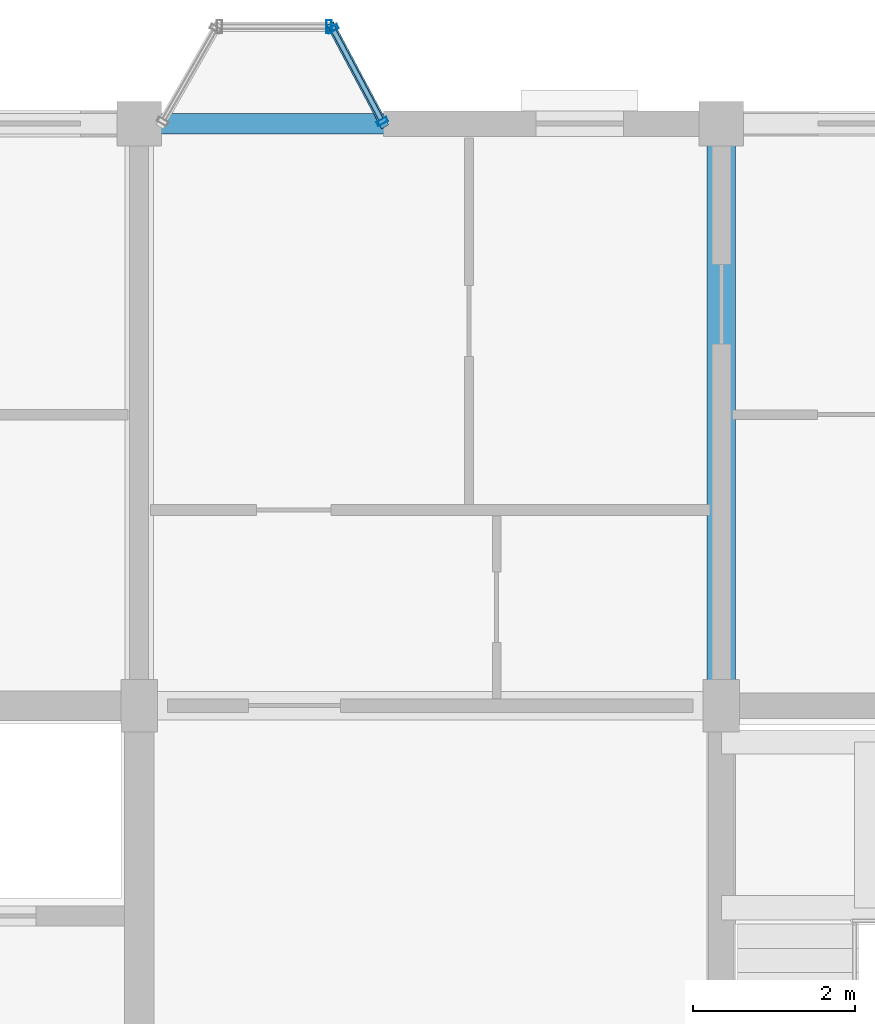
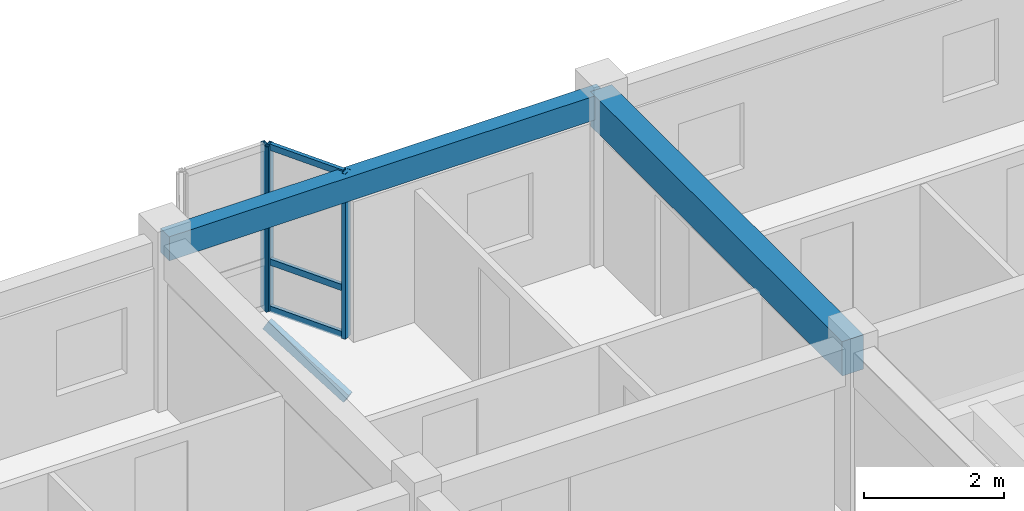
# One storey, part 44 of 77: 7 members, 2 beams, 2 elements without a shape of their own.
"""IFC4 building model written with IfcOpenShell, lengths in metres."""

from ifc_helpers import new_model, si_unit, direction, frame, origin, origin_2d, place, context, subcontext, project, spatial, rectangle, hollow_rectangle, extrude, material, layer, layer_set, material_profile, profile_set, type_object, element, aggregate, save


model = new_model("IFC4")

# Units and contexts
model_context = context("Model", 3, precision=1e-05, world=origin(), true_north=direction((0.0, 1.0)))
body_context = subcontext(model_context, "Body", "Model", "MODEL_VIEW")
ifc_project = project(units=[si_unit("LENGTHUNIT", "METRE"), si_unit("AREAUNIT", "SQUARE_METRE"), si_unit("VOLUMEUNIT", "CUBIC_METRE"), si_unit("PLANEANGLEUNIT", "RADIAN"), si_unit("MASSUNIT", "GRAM", prefix="KILO"), si_unit("THERMODYNAMICTEMPERATUREUNIT", "KELVIN"), si_unit("POWERUNIT", "WATT")], contexts=[model_context])

# Site, building, storey
site_placement = place(None, origin())
site = spatial("IfcSite", under=ifc_project, at=site_placement, CompositionType="ELEMENT")
building_placement = place(site_placement, origin())
building = spatial("IfcBuilding", under=site, at=building_placement, Name="Tavuni Mirador Residences", CompositionType="ELEMENT")
storey_placement = place(building_placement, frame((0.0, 0.0, 17.10009765625)))
storey = spatial("IfcBuildingStorey", under=building, at=storey_placement, Name="L05", CompositionType="ELEMENT", Elevation=17.10009765625)

# Beams
ifc_material_1 = material(Name="Precast concrete C40/50", Category="concrete")
ifc_material_profile_1 = material_profile(ifc_material_1, rectangle(XDim=0.35009765625, YDim=0.60009765625, at=origin_2d()), Name="PC 350x600", Category="concrete")
ifc_profile_set_1 = profile_set([ifc_material_profile_1], Name="Precast concrete C40/50")
beam_type_1 = type_object("IfcBeamType", Name="BT-B600", PredefinedType="BEAM", material=ifc_profile_set_1)
beam_1_placement = place(storey_placement, frame((39.60009765625, 165.60009765625, 2.5849609375), z_axis=(0.0, 1.0, 0.0), x_axis=(-1.0, 0.0, 0.0)))
element("IfcBeam", 1, at=beam_1_placement, inside=storey, type_object=beam_type_1, Name="BMY-BLK-C-L05-04-03", PredefinedType="BEAM", context=body_context, shape_type="SweptSolid", body=[
    extrude(rectangle(XDim=0.35009765625, YDim=0.60009765625, at=origin_2d()), origin(), (0.0, 0.0, 1.0), 7.199951171875),
])
ifc_material_profile_2 = material_profile(ifc_material_1, rectangle(XDim=0.25, YDim=0.419921875, at=origin_2d()), Name="PC 250x420", Category="concrete")
ifc_profile_set_2 = profile_set([ifc_material_profile_2], Name="Precast concrete C40/50")
beam_type_2 = type_object("IfcBeamType", Name="BT-SP420", PredefinedType="SPANDREL", material=ifc_profile_set_2)
beam_2_placement = place(storey_placement, frame((32.39990234375, 172.800048828125, 2.6748046875), z_axis=(1.0, 0.0, 0.0), x_axis=(0.0, 1.0, 0.0)))
element("IfcBeam", 2, at=beam_2_placement, inside=storey, type_object=beam_type_2, Name="BMX-BLK-C-L05-03-04", PredefinedType="SPANDREL", context=body_context, shape_type="SweptSolid", body=[
    extrude(rectangle(XDim=0.25, YDim=0.419921875, at=origin_2d()), origin(), (0.0, 0.0, 1.0), 7.2001953125),
])

# Curtain wall, members
ifc_material_2 = material(Name="Anodised aluminium", Category="aluminium")
ifc_layer_1 = layer(ifc_material_2, 0.175048828125, Name="Anodised aluminium", Category="aluminium")
ifc_layer_set_1 = layer_set([ifc_layer_1], Name="Anodised aluminium")
curtain_wall_type_1 = type_object("IfcCurtainWallType", Name="CWT-MIR-C", PredefinedType="NOTDEFINED", material=ifc_layer_set_1)
curtain_wall_1_placement = place(storey_placement, origin())
curtain_wall_1 = element("IfcCurtainWall", 3, at=curtain_wall_1_placement, inside=storey, type_object=curtain_wall_type_1, Name="CW-MIR-C-N2-L05-M1", PredefinedType="NOTDEFINED")
ifc_material_profile_3 = material_profile(ifc_material_2, hollow_rectangle(XDim=0.06005859375, YDim=0.139892578125, WallThickness=0.00390625, at=origin_2d()), Name="ALU 60x140x4.0", Category="aluminium")
ifc_profile_set_3 = profile_set([ifc_material_profile_3], Name="Anodised aluminium")
member_type_1 = type_object("IfcMemberType", Name="CWM-140", PredefinedType="MULLION", material=ifc_profile_set_3)
member_1_placement = place(storey_placement, frame((35.40576171875, 172.826416015625, 0.0), z_axis=(0.0, 0.0, 1.0), x_axis=(-0.470588235296, 0.882352941175, 0.0)))
member_1 = element("IfcMember", 4, at=member_1_placement, type_object=member_type_1, Name="CW-03 mullion 1", PredefinedType="MULLION", context=body_context, shape_type="SweptSolid", body=[
    extrude(hollow_rectangle(XDim=0.06005859375, YDim=0.139892578125, WallThickness=0.00390625, at=origin_2d()), origin(), (0.0, 0.0, 1.0), 2.885009765625),
])
member_2_placement = place(storey_placement, frame((34.794189453125, 173.9736328125, 0.0), z_axis=(0.0, 0.0, 1.0), x_axis=(-0.470588235296, 0.882352941175, 0.0)))
member_2 = element("IfcMember", 5, at=member_2_placement, type_object=member_type_1, Name="CW-03 mullion 2", PredefinedType="MULLION", context=body_context, shape_type="SweptSolid", body=[
    extrude(hollow_rectangle(XDim=0.06005859375, YDim=0.139892578125, WallThickness=0.00390625, at=origin_2d()), origin(), (0.0, 0.0, 1.0), 2.885009765625),
])

# Curtain wall, member
ifc_layer_2 = layer(ifc_material_2, 0.159912109375, Name="Anodised aluminium", Category="aluminium")
ifc_layer_set_2 = layer_set([ifc_layer_2], Name="Anodised aluminium")
curtain_wall_type_2 = type_object("IfcCurtainWallType", Name="CWT-MIR-D", PredefinedType="NOTDEFINED", material=ifc_layer_set_2)
curtain_wall_2_placement = place(storey_placement, origin())
curtain_wall_2 = element("IfcCurtainWall", 6, at=curtain_wall_2_placement, inside=storey, type_object=curtain_wall_type_2, Name="CW-MIR-C-N2-L05-MF", PredefinedType="NOTDEFINED")
ifc_material_profile_4 = material_profile(ifc_material_2, hollow_rectangle(XDim=0.06494140625, YDim=0.1650390625, WallThickness=0.00439453125, at=origin_2d()), Name="ALU 65x165x4.5", Category="aluminium")
ifc_profile_set_4 = profile_set([ifc_material_profile_4], Name="Anodised aluminium")
member_type_2 = type_object("IfcMemberType", Name="CWM-165", PredefinedType="MULLION", material=ifc_profile_set_4)
member_3_placement = place(storey_placement, frame((34.74755859375, 174.0, 0.0), z_axis=(0.0, 0.0, 1.0), x_axis=(-1.0, 0.0, 0.0)))
member_3 = element("IfcMember", 7, at=member_3_placement, type_object=member_type_2, Name="CW-04 mullion 1", PredefinedType="MULLION", context=body_context, shape_type="SweptSolid", body=[
    extrude(hollow_rectangle(XDim=0.06494140625, YDim=0.1650390625, WallThickness=0.00439453125, at=origin_2d()), origin(), (0.0, 0.0, 1.0), 2.885009765625),
])
aggregate(curtain_wall_2, [member_3])

# Member
ifc_material_profile_5 = material_profile(ifc_material_2, hollow_rectangle(XDim=0.06005859375, YDim=0.110107421875, WallThickness=0.00390625, at=origin_2d()), Name="ALU 60x110x4.0", Category="aluminium")
ifc_profile_set_5 = profile_set([ifc_material_profile_5], Name="Anodised aluminium")
member_type_3 = type_object("IfcMemberType", Name="CWT-110", PredefinedType="USERDEFINED", material=ifc_profile_set_5)
member_4_placement = place(storey_placement, frame((35.391845703125, 172.85302734375, 0.02978515625), z_axis=(-0.470608675382, 0.882342039492, 0.0), x_axis=(-0.882342039492, -0.470608675382, 0.0)))
member_4 = element("IfcMember", 8, at=member_4_placement, type_object=member_type_3, Name="CW-03 transom 1.1", ObjectType="TRANSOM", PredefinedType="USERDEFINED", context=body_context, shape_type="SweptSolid", body=[
    extrude(hollow_rectangle(XDim=0.06005859375, YDim=0.110107421875, WallThickness=0.00390625, at=origin_2d()), origin(), (0.0, 0.0, 1.0), 1.239990234375),
])

member_5_placement = place(storey_placement, frame((35.391845703125, 172.85302734375, 0.849853515625), z_axis=(-0.470608675382, 0.882342039492, 0.0), x_axis=(-0.882342039492, -0.470608675382, 0.0)))
member_5 = element("IfcMember", 9, at=member_5_placement, type_object=member_type_3, Name="CW-03 transom 1.2", ObjectType="TRANSOM", PredefinedType="USERDEFINED", context=body_context, shape_type="SweptSolid", body=[
    extrude(hollow_rectangle(XDim=0.06005859375, YDim=0.110107421875, WallThickness=0.00390625, at=origin_2d()), origin(), (0.0, 0.0, 1.0), 1.239990234375),
])

member_6_placement = place(storey_placement, frame((35.391845703125, 172.85302734375, 2.85498046875), z_axis=(-0.470608675382, 0.882342039492, 0.0), x_axis=(-0.882342039492, -0.470608675382, 0.0)))
member_6 = element("IfcMember", 10, at=member_6_placement, type_object=member_type_3, Name="CW-03 transom 1.3", ObjectType="TRANSOM", PredefinedType="USERDEFINED", context=body_context, shape_type="SweptSolid", body=[
    extrude(hollow_rectangle(XDim=0.06005859375, YDim=0.110107421875, WallThickness=0.00390625, at=origin_2d()), origin(), (0.0, 0.0, 1.0), 1.239990234375),
])

aggregate(curtain_wall_1, [member_1, member_2, member_4, member_5, member_6])

ifc_material_3 = material(Name="Structural steel S355", Category="steel")
ifc_material_profile_6 = material_profile(ifc_material_3, hollow_rectangle(XDim=0.10009765625, YDim=0.179931640625, WallThickness=0.008056640625, at=origin_2d()), Name="RHS 180x100x8.0", Category="steel")
ifc_profile_set_6 = profile_set([ifc_material_profile_6], Name="Structural steel S355")
member_type_4 = type_object("IfcMemberType", Name="MT-BR-RHS180", PredefinedType="BRACE", material=ifc_profile_set_6)
member_7_placement = place(storey_placement, frame((35.419921875, 172.800048828125, -1.050048828125), z_axis=(-0.407530885562, 0.764217589674, 0.499890040855), x_axis=(-0.882377788047, -0.47054164445, 0.0)))
element("IfcMember", 11, at=member_7_placement, inside=storey, type_object=member_type_4, Name="MBRK-MIR-C-N2-L05-2", PredefinedType="BRACE", context=body_context, shape_type="SweptSolid", body=[
    extrude(hollow_rectangle(XDim=0.10009765625, YDim=0.179931640625, WallThickness=0.008056640625, at=origin_2d()), origin(), (0.0, 0.0, 1.0), 1.570068359375),
])

save(model, "model.ifc")
